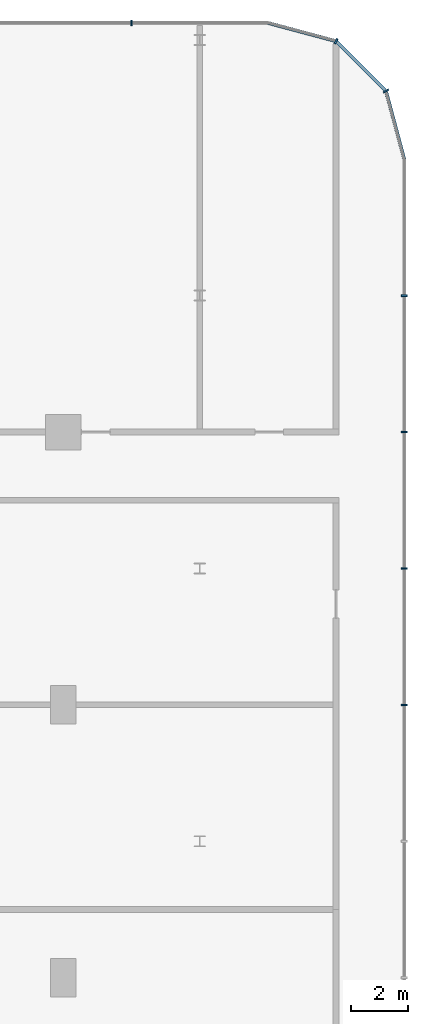
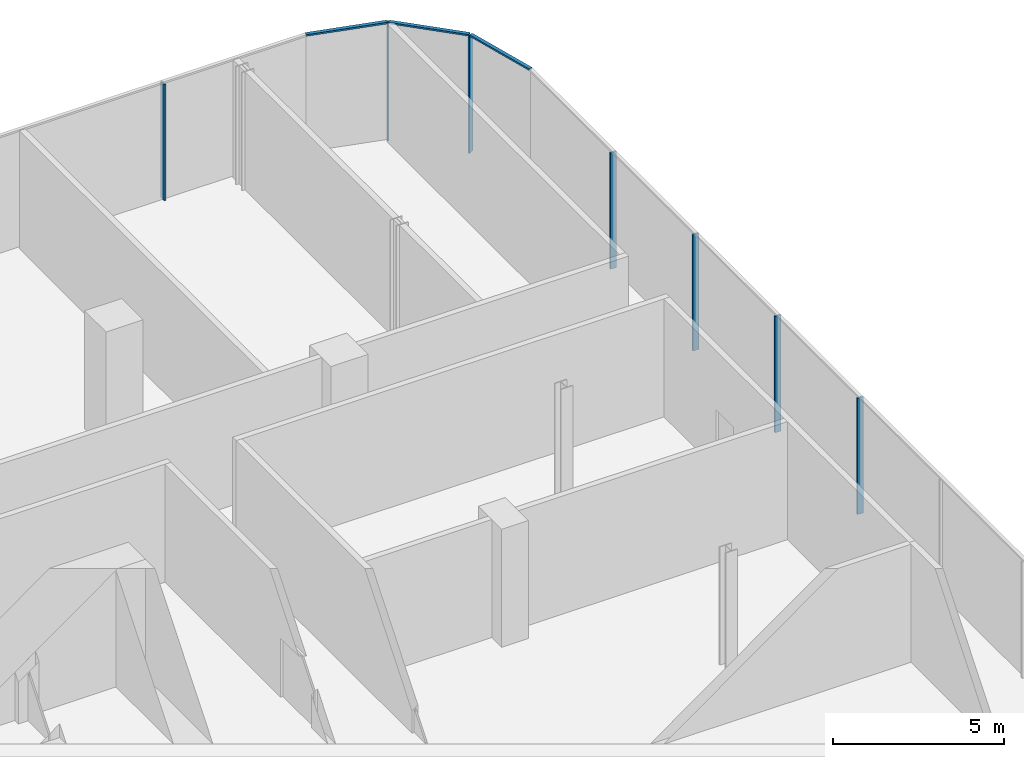
# One storey, part 23 of 45: 10 members, 3 elements without a shape of their own.
"""IFC4 building model written with IfcOpenShell, lengths in metres."""

from ifc_helpers import new_model, si_unit, direction, frame, origin, origin_2d, place, context, subcontext, project, spatial, rectangle, extrude, material, layer, layer_set, material_profile, profile_set, type_object, element, aggregate, save


model = new_model("IFC4")

# Units and contexts
model_context = context("Model", 3, precision=1e-05, world=origin(), true_north=direction((0.0, 1.0)))
body_context = subcontext(model_context, "Body", "Model", "MODEL_VIEW")
ifc_project = project(units=[si_unit("LENGTHUNIT", "METRE"), si_unit("AREAUNIT", "SQUARE_METRE"), si_unit("VOLUMEUNIT", "CUBIC_METRE"), si_unit("PLANEANGLEUNIT", "RADIAN"), si_unit("MASSUNIT", "GRAM", prefix="KILO")], contexts=[model_context])

# Site, building, storey
site_placement = place(None, origin())
site = spatial("IfcSite", under=ifc_project, at=site_placement, CompositionType="ELEMENT")
building_placement = place(site_placement, origin())
building = spatial("IfcBuilding", under=site, at=building_placement, Name="Madar Terraces", CompositionType="ELEMENT")
storey_placement = place(building_placement, frame((0.0, 0.0, 6.0)))
storey = spatial("IfcBuildingStorey", under=building, at=storey_placement, Name="L01", CompositionType="ELEMENT", Elevation=6.0)

# Curtain wall, members
ifc_material_1 = material(Name="Glass, clear low-iron, with black aluminium frame", Category="aluminium")
ifc_layer = layer(ifc_material_1, 0.199951171875)
ifc_layer_set = layer_set([ifc_layer], Name="Facade curtain wall, shopfront glazing")
curtain_wall_type = type_object("IfcCurtainWallType", Name="Facade curtain wall, shopfront glazing", PredefinedType="NOTDEFINED", material=ifc_layer_set)
curtain_wall_1_placement = place(storey_placement, origin())
curtain_wall_1 = element("IfcCurtainWall", 1, at=curtain_wall_1_placement, inside=storey, type_object=curtain_wall_type, Name="Outer skin curtain wall east bay 1", PredefinedType="NOTDEFINED")
ifc_material_2 = material(Name="Aluminium, black anodised", Category="aluminium")
ifc_material_profile_1 = material_profile(ifc_material_2, rectangle(XDim=0.199951171875, YDim=0.06005859375, at=origin_2d()), Name="Facade mullion 60x200")
ifc_profile_set_1 = profile_set([ifc_material_profile_1], Name="Aluminium, black anodised")
member_type_1 = type_object("IfcMemberType", Name="Facade mullion 60x200", PredefinedType="MULLION", material=ifc_profile_set_1)
member_1_placement = place(storey_placement, frame((69.60009765625, 33.60009765625, 0.0), z_axis=(0.0, 0.0, 1.0), x_axis=(-1.0, 0.0, 0.0)))
member_1 = element("IfcMember", 2, at=member_1_placement, type_object=member_type_1, Name="Mullion 12", PredefinedType="MULLION", context=body_context, shape_type="SweptSolid", body=[
    extrude(rectangle(XDim=0.199951171875, YDim=0.06005859375, at=origin_2d()), origin(), (0.0, 0.0, 1.0), 4.139892578125),
])
member_2_placement = place(storey_placement, frame((69.60009765625, 38.39990234375, 0.0), z_axis=(0.0, 0.0, 1.0), x_axis=(-1.0, 0.0, 0.0)))
member_2 = element("IfcMember", 3, at=member_2_placement, type_object=member_type_1, Name="Mullion 13", PredefinedType="MULLION", context=body_context, shape_type="SweptSolid", body=[
    extrude(rectangle(XDim=0.199951171875, YDim=0.06005859375, at=origin_2d()), origin(), (0.0, 0.0, 1.0), 4.139892578125),
])
member_3_placement = place(storey_placement, frame((69.60009765625, 43.199951171875, 0.0), z_axis=(0.0, 0.0, 1.0), x_axis=(-1.0, 0.0, 0.0)))
member_3 = element("IfcMember", 4, at=member_3_placement, type_object=member_type_1, Name="Mullion 14", PredefinedType="MULLION", context=body_context, shape_type="SweptSolid", body=[
    extrude(rectangle(XDim=0.199951171875, YDim=0.06005859375, at=origin_2d()), origin(), (0.0, 0.0, 1.0), 4.139892578125),
])
member_4_placement = place(storey_placement, frame((69.60009765625, 48.0, 0.0), z_axis=(0.0, 0.0, 1.0), x_axis=(-1.0, 0.0, 0.0)))
member_4 = element("IfcMember", 5, at=member_4_placement, type_object=member_type_1, Name="Mullion 15", PredefinedType="MULLION", context=body_context, shape_type="SweptSolid", body=[
    extrude(rectangle(XDim=0.199951171875, YDim=0.06005859375, at=origin_2d()), origin(), (0.0, 0.0, 1.0), 4.139892578125),
])
aggregate(curtain_wall_1, [member_1, member_2, member_3, member_4])

# Curtain wall, member
curtain_wall_2_placement = place(storey_placement, origin())
curtain_wall_2 = element("IfcCurtainWall", 6, at=curtain_wall_2_placement, inside=storey, type_object=curtain_wall_type, Name="Outer skin curtain wall north bay 1", PredefinedType="NOTDEFINED")
member_5_placement = place(storey_placement, frame((60.0, 57.60009765625, 0.0), z_axis=(0.0, 0.0, 1.0), x_axis=(0.0, -1.0, 0.0)))
member_5 = element("IfcMember", 7, at=member_5_placement, type_object=member_type_1, Name="Mullion 1", PredefinedType="MULLION", context=body_context, shape_type="SweptSolid", body=[
    extrude(rectangle(XDim=0.199951171875, YDim=0.06005859375, at=origin_2d()), origin(), (0.0, 0.0, 1.0), 4.139892578125),
])
aggregate(curtain_wall_2, [member_5])

# Curtain wall, members
curtain_wall_3_placement = place(storey_placement, origin())
curtain_wall_3 = element("IfcCurtainWall", 8, at=curtain_wall_3_placement, inside=storey, type_object=curtain_wall_type, Name="Outer skin curtain wall north-east corner", PredefinedType="NOTDEFINED")
member_6_placement = place(storey_placement, frame((68.95703125, 55.199951171875, 0.0), z_axis=(0.0, 0.0, 1.0), x_axis=(-0.866025409797, -0.499999989586, 0.0)))
member_6 = element("IfcMember", 9, at=member_6_placement, type_object=member_type_1, Name="Mullion 1", PredefinedType="MULLION", context=body_context, shape_type="SweptSolid", body=[
    extrude(rectangle(XDim=0.199951171875, YDim=0.06005859375, at=origin_2d()), origin(), (0.0, 0.0, 1.0), 4.139892578125),
])
member_7_placement = place(storey_placement, frame((67.199951171875, 56.95703125, 0.0), z_axis=(0.0, 0.0, 1.0), x_axis=(-0.499999989586, -0.866025409797, 0.0)))
member_7 = element("IfcMember", 10, at=member_7_placement, type_object=member_type_1, Name="Mullion 2", PredefinedType="MULLION", context=body_context, shape_type="SweptSolid", body=[
    extrude(rectangle(XDim=0.199951171875, YDim=0.06005859375, at=origin_2d()), origin(), (0.0, 0.0, 1.0), 4.139892578125),
])
ifc_material_3 = material(Name="Aluminium, black anodised", Category="aluminium")
ifc_material_profile_2 = material_profile(ifc_material_3, rectangle(XDim=0.1201171875, YDim=0.06005859375, at=origin_2d()), Name="Facade transom 60x120")
ifc_profile_set_2 = profile_set([ifc_material_profile_2], Name="Aluminium, black anodised")
member_type_2 = type_object("IfcMemberType", Name="Facade transom 60x120", PredefinedType="USERDEFINED", material=ifc_profile_set_2)
member_8_placement = place(storey_placement, frame((69.60009765625, 52.800048828125, 4.169921875), z_axis=(-0.258881906514, 0.965908980432, 0.0), x_axis=(-0.965908980432, -0.258881906514, 0.0)))
member_8 = element("IfcMember", 11, at=member_8_placement, type_object=member_type_2, Name="Transom 1", ObjectType="TRANSOM", PredefinedType="USERDEFINED", context=body_context, shape_type="SweptSolid", body=[
    extrude(rectangle(XDim=0.1201171875, YDim=0.06005859375, at=origin_2d()), origin(), (0.0, 0.0, 1.0), 2.454833984375),
])
member_9_placement = place(storey_placement, frame((68.935791015625, 55.22119140625, 4.169921875), z_axis=(-0.707106781187, 0.707106781187, 0.0), x_axis=(-0.707106781187, -0.707106781187, 0.0)))
member_9 = element("IfcMember", 12, at=member_9_placement, type_object=member_type_2, Name="Transom 2", ObjectType="TRANSOM", PredefinedType="USERDEFINED", context=body_context, shape_type="SweptSolid", body=[
    extrude(rectangle(XDim=0.1201171875, YDim=0.06005859375, at=origin_2d()), origin(), (0.0, 0.0, 1.0), 2.4248046875),
])
member_10_placement = place(storey_placement, frame((67.171142578125, 56.964599609375, 4.169921875), z_axis=(-0.965908980432, 0.258881906514, 0.0), x_axis=(-0.258881906514, -0.965908980432, 0.0)))
member_10 = element("IfcMember", 13, at=member_10_placement, type_object=member_type_2, Name="Transom 3", ObjectType="TRANSOM", PredefinedType="USERDEFINED", context=body_context, shape_type="SweptSolid", body=[
    extrude(rectangle(XDim=0.1201171875, YDim=0.06005859375, at=origin_2d()), origin(), (0.0, 0.0, 1.0), 2.454833984375),
])
aggregate(curtain_wall_3, [member_6, member_8, member_7, member_9, member_10])

save(model, "model.ifc")
